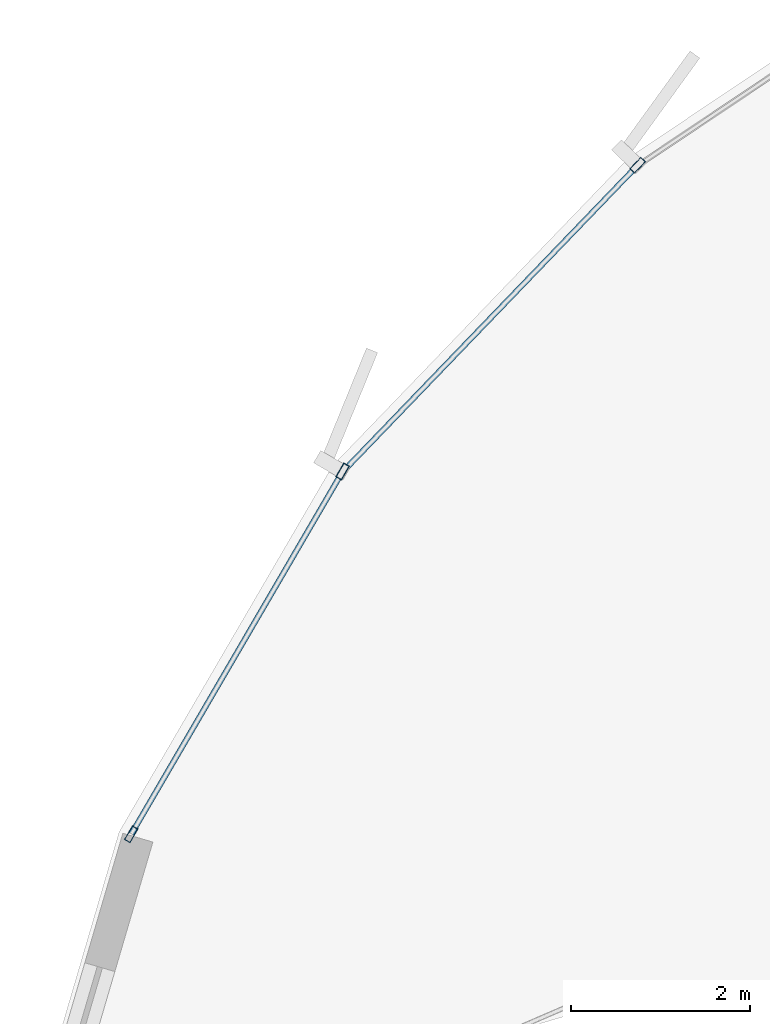
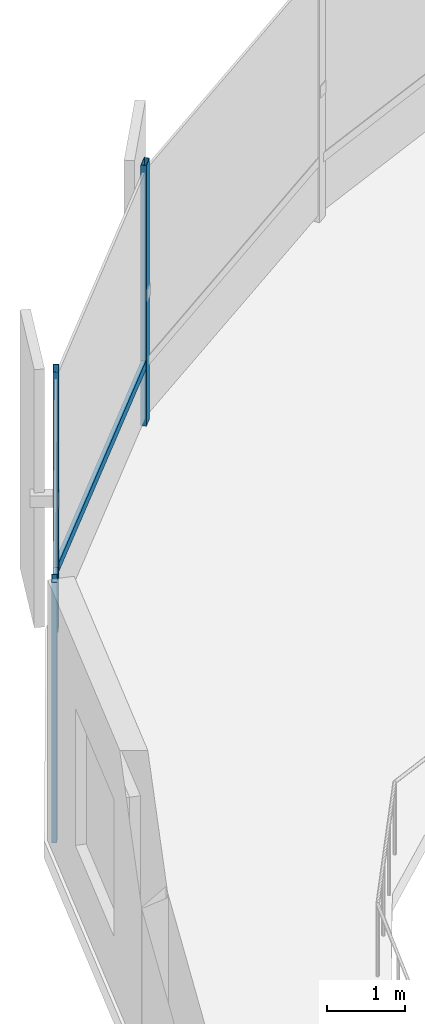
# One storey, part 10 of 34: 5 members, 1 element without a shape of its own.
"""IFC4 building model written with IfcOpenShell, lengths in metres."""

from ifc_helpers import new_model, si_unit, direction, frame, origin, origin_2d, place, context, subcontext, project, spatial, hollow_rectangle, extrude, source, transform, mapped, material, layer, layer_set, material_profile, profile_set, type_object, element, aggregate, save


model = new_model("IFC4")

# Units and contexts
model_context = context("Model", 3, precision=1e-05, world=origin(), true_north=direction((0.0, 1.0)))
body_context = subcontext(model_context, "Body", "Model", "MODEL_VIEW")
ifc_project = project(units=[si_unit("LENGTHUNIT", "METRE"), si_unit("AREAUNIT", "SQUARE_METRE"), si_unit("VOLUMEUNIT", "CUBIC_METRE"), si_unit("PLANEANGLEUNIT", "RADIAN"), si_unit("MASSUNIT", "GRAM", prefix="KILO"), si_unit("THERMODYNAMICTEMPERATUREUNIT", "KELVIN")], contexts=[model_context])

# Site, building, storey
site_placement = place(None, origin())
site = spatial("IfcSite", under=ifc_project, at=site_placement, CompositionType="ELEMENT")
building_placement = place(site_placement, origin())
building = spatial("IfcBuilding", under=site, at=building_placement, Name="Kethvar Cultural Tower", CompositionType="ELEMENT")
storey_placement = place(building_placement, frame((0.0, 0.0, 19.60009765625)))
storey = spatial("IfcBuildingStorey", under=building, at=storey_placement, Name="L04", CompositionType="ELEMENT", Elevation=19.60009765625)

# Curtain wall, members
ifc_material = material(Name="Aluminium 6063-T6", Category="aluminium")
ifc_layer = layer(ifc_material, 0.179931640625, Name="Aluminium 6063-T6", Category="aluminium")
ifc_layer_set = layer_set([ifc_layer], Name="Aluminium 6063-T6 (180 mm)")
curtain_wall_type = type_object("IfcCurtainWallType", Name="CW-SYS-01-POD", PredefinedType="NOTDEFINED", material=ifc_layer_set)
curtain_wall_placement = place(storey_placement, origin())
curtain_wall = element("IfcCurtainWall", 1, at=curtain_wall_placement, inside=storey, type_object=curtain_wall_type, Name="L04 Curtain Wall Run 03", PredefinedType="NOTDEFINED")
ifc_material_profile_1 = material_profile(ifc_material, hollow_rectangle(XDim=0.06005859375, YDim=0.139892578125, WallThickness=0.0048828125, at=origin_2d()), Name="Aluminium 6063-T6 — RHS140x60x5")
ifc_profile_set_1 = profile_set([ifc_material_profile_1], Name="Aluminium 6063-T6 — RHS140x60x5")
member_type_1 = type_object("IfcMemberType", Name="CW-SYS-01-POD-TRN", PredefinedType="USERDEFINED", material=ifc_profile_set_1)
shared_shape_1 = source(origin(), body_context, "Body", "SweptSolid", [
    extrude(hollow_rectangle(XDim=0.06005859375, YDim=0.139892578125, WallThickness=0.0048828125, at=origin_2d()), origin(), (0.0, 0.0, 1.0), 4.639892578125),
])
member_1_placement = place(storey_placement, frame((5.20068359375, 43.881591796875, 0.949951171875), z_axis=(-0.503504560489, -0.863992568004, 0.0), x_axis=(0.863992568004, -0.503504560489, 0.0)))
member_1 = element("IfcMember", 2, at=member_1_placement, type_object=member_type_1, Name="CW-L04-R03 Transom 4", ObjectType="TRANSOM", PredefinedType="USERDEFINED", context=body_context, shape_type="MappedRepresentation", body=[
    mapped(shared_shape_1, transform((0.0, 0.0, 0.0), scale=1.0)),
])
shared_shape_2 = source(origin(), body_context, "Body", "SweptSolid", [
    extrude(hollow_rectangle(XDim=0.06005859375, YDim=0.139892578125, WallThickness=0.0048828125, at=origin_2d()), origin(), (0.0, 0.0, 1.0), 4.6826171875),
])
member_2_placement = place(storey_placement, frame((8.4931640625, 47.31689453125, 0.949951171875), z_axis=(-0.693341040309, -0.72060960431, 0.0), x_axis=(0.72060960431, -0.693341040309, 0.0)))
member_2 = element("IfcMember", 3, at=member_2_placement, type_object=member_type_1, Name="CW-L04-R03 Transom 3", ObjectType="TRANSOM", PredefinedType="USERDEFINED", context=body_context, shape_type="MappedRepresentation", body=[
    mapped(shared_shape_2, transform((0.0, 0.0, 0.0), scale=1.0)),
])
ifc_material_profile_2 = material_profile(ifc_material, hollow_rectangle(XDim=0.074951171875, YDim=0.179931640625, WallThickness=0.006103515625, at=origin_2d()), Name="Aluminium 6063-T6 — RHS180x75x6")
ifc_profile_set_2 = profile_set([ifc_material_profile_2], Name="Aluminium 6063-T6 — RHS180x75x6")
member_type_2 = type_object("IfcMemberType", Name="CW-SYS-01-POD-MUL", PredefinedType="MULLION", material=ifc_profile_set_2)
shared_shape_3 = source(origin(), body_context, "Body", "SweptSolid", [
    extrude(hollow_rectangle(XDim=0.074951171875, YDim=0.179931640625, WallThickness=0.006103515625, at=origin_2d()), origin(), (0.0, 0.0, 1.0), 4.079833984375),
])
member_3_placement = place(storey_placement, frame((8.530517578125, 47.355712890625, 0.0), z_axis=(0.0, 0.0, 1.0), x_axis=(0.720611619661, -0.693338945689, 0.0)))
member_3 = element("IfcMember", 4, at=member_3_placement, type_object=member_type_2, Name="CW-L04-R03 Mullion 3", PredefinedType="MULLION", context=body_context, shape_type="MappedRepresentation", body=[
    mapped(shared_shape_3, transform((0.0, 0.0, 0.0), scale=1.0)),
])
member_4_placement = place(storey_placement, frame((5.227783203125, 43.92822265625, 0.0), z_axis=(0.0, 0.0, 1.0), x_axis=(0.863984939927, -0.503517649721, 0.0)))
member_4 = element("IfcMember", 5, at=member_4_placement, type_object=member_type_2, Name="CW-L04-R03 Mullion 4", PredefinedType="MULLION", context=body_context, shape_type="MappedRepresentation", body=[
    mapped(shared_shape_3, transform((0.0, 0.0, 0.0), scale=1.0)),
])
member_5_placement = place(storey_placement, frame((2.86181640625, 39.868408203125, 0.0), z_axis=(0.0, 0.0, 1.0), x_axis=(0.863984939927, -0.503517649721, 0.0)))
member_5 = element("IfcMember", 6, at=member_5_placement, type_object=member_type_2, Name="CW-L04-R03 Mullion 5", PredefinedType="MULLION", context=body_context, shape_type="MappedRepresentation", body=[
    mapped(shared_shape_3, transform((0.0, 0.0, 0.0), scale=1.0)),
])
aggregate(curtain_wall, [member_3, member_4, member_5, member_2, member_1])

save(model, "model.ifc")
